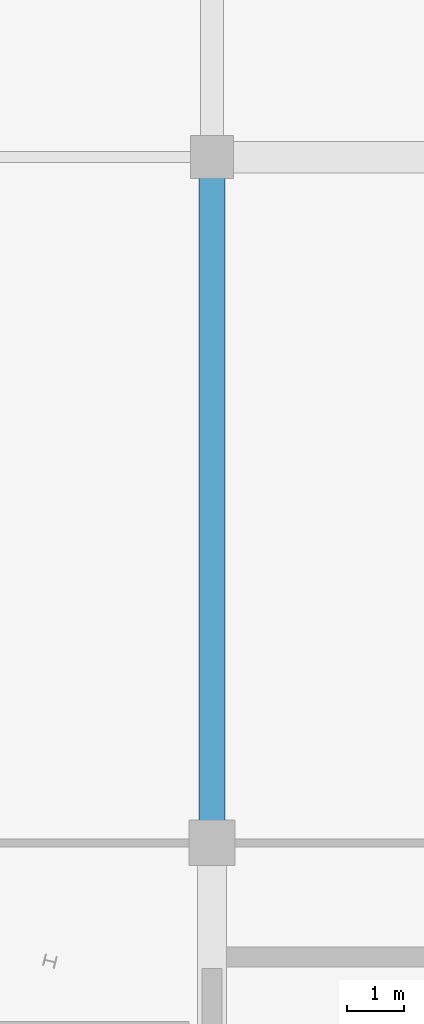
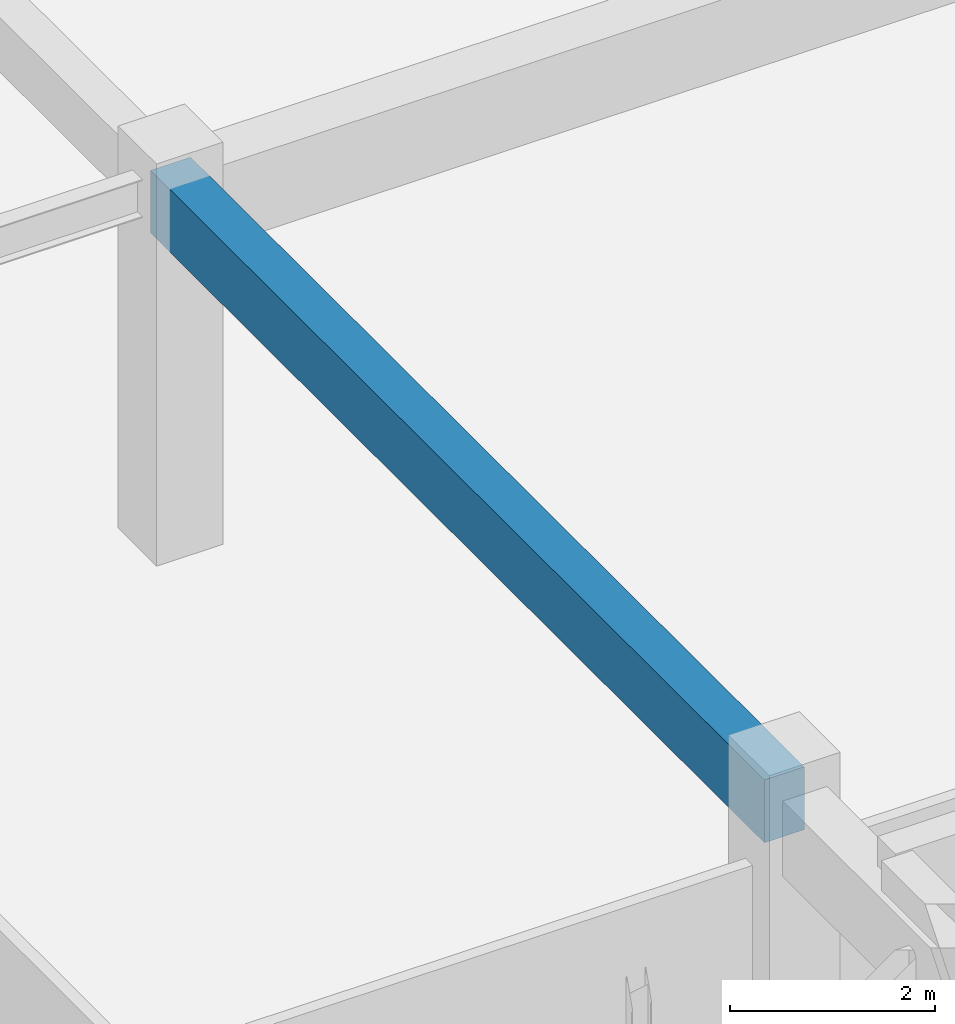
# One storey, part 79 of 226: 1 beam.
"""IFC4 building model written with IfcOpenShell, lengths in metres."""

import ifcopenshell
import ifcopenshell.guid

model = None  # the IFC model being written
_history = None  # IfcOwnerHistory: only IFC2X3 demands one
_inside = {}  # id of a spatial element -> (the spatial element, [elements in it])
_under = {}  # id of a project, library or spatial element -> (it, [spatial elements below it])
_declared = {}  # id of a project -> (the project, [libraries it declares])
_typed = {}  # id of a type object -> (the type object, [elements of that type])
_made_of = {}  # id of a material, layer set ... -> (it, [elements and type objects made of it])


def new_model(schema):
    """Start an empty IFC model of exactly this schema.

    Asked for "IFC4X3", IfcOpenShell would pick the latest addendum, in which some entities
    have other attributes; the version numbers below select the first issue.
    IFC2X3 requires an IfcOwnerHistory on every rooted entity: one is made here for all.
    """
    global model, _history
    if schema == "IFC4X3":
        model = ifcopenshell.file(schema_version=(4, 3, 0, 0))
    else:
        model = ifcopenshell.file(schema=schema)
    _inside.clear()
    _under.clear()
    _declared.clear()
    _typed.clear()
    _made_of.clear()
    _history = None
    if model.schema == "IFC2X3":
        org = make("IfcOrganization", Name="unknown")
        user = make(
            "IfcPersonAndOrganization",
            ThePerson=make("IfcPerson", FamilyName="unknown"),
            TheOrganization=org,
        )
        app = make(
            "IfcApplication",
            ApplicationDeveloper=org,
            Version="unknown",
            ApplicationFullName="unknown",
            ApplicationIdentifier="unknown",
        )
        _history = make(
            "IfcOwnerHistory",
            OwningUser=user,
            OwningApplication=app,
            ChangeAction="ADDED",
            CreationDate=0,
        )
    return model


def make(cls, **values):
    """One entity of the class cls with the attributes given. An attribute that is None is left unset."""
    return model.create_entity(
        cls, **{name: value for name, value in values.items() if value is not None}
    )


def rooted(cls, **values):
    """An entity with a GlobalId (a new one), such as an element, a storey or a relation."""
    return make(cls, GlobalId=ifcopenshell.guid.new(), OwnerHistory=_history, **values)


def si_unit(unit_type, name, prefix=None):
    """IfcSIUnit, for example si_unit("LENGTHUNIT", "METRE", prefix="MILLI")."""
    return make("IfcSIUnit", UnitType=unit_type, Prefix=prefix, Name=name)


def assignment(units):
    """IfcUnitAssignment: the units of a project."""
    return None if units is None else make("IfcUnitAssignment", Units=units)


def point(xyz):
    """IfcCartesianPoint."""
    return None if xyz is None else make("IfcCartesianPoint", Coordinates=xyz)


def direction(xyz):
    """IfcDirection."""
    return None if xyz is None else make("IfcDirection", DirectionRatios=xyz)


def frame(location, z_axis=None, x_axis=None):
    """IfcAxis2Placement3D, a coordinate frame: its origin and axes. An axis left out is left unset."""
    return make(
        "IfcAxis2Placement3D",
        Location=point(location),
        Axis=direction(z_axis),
        RefDirection=direction(x_axis),
    )


def frame_2d(location, x_axis=None):
    """IfcAxis2Placement2D, a coordinate frame in the plane: its origin and x axis."""
    return make(
        "IfcAxis2Placement2D", Location=point(location), RefDirection=direction(x_axis)
    )


def origin():
    """The frame at (0, 0, 0) with its axes left unset."""
    return frame((0.0, 0.0, 0.0))


def origin_2d():
    """The frame at (0, 0) in the plane with its x axis left unset."""
    return frame_2d((0.0, 0.0))


def place(relative_to, where):
    """IfcLocalPlacement: puts the frame where relative to a parent placement (None: the world)."""
    return make(
        "IfcLocalPlacement", PlacementRelTo=relative_to, RelativePlacement=where
    )


def context(
    kind, dimensions, precision=None, world=None, true_north=None, identifier=None
):
    """IfcGeometricRepresentationContext, for example the 3D "Model" context."""
    return make(
        "IfcGeometricRepresentationContext",
        ContextIdentifier=identifier,
        ContextType=kind,
        CoordinateSpaceDimension=dimensions,
        Precision=precision,
        WorldCoordinateSystem=world,
        TrueNorth=true_north,
    )


def subcontext(parent, identifier, kind, view, scale=None):
    """IfcGeometricRepresentationSubContext, for example "Body" below "Model"."""
    return make(
        "IfcGeometricRepresentationSubContext",
        ContextIdentifier=identifier,
        ContextType=kind,
        ParentContext=parent,
        TargetScale=scale,
        TargetView=view,
    )


def project(units=None, contexts=None):
    """IfcProject with its units and contexts."""
    return rooted(
        "IfcProject",
        Name="project",
        RepresentationContexts=contexts,
        UnitsInContext=assignment(units),
    )


def spatial(cls, under=None, at=None, **own):
    """A site, building, storey or space (cls), placed at a placement, below another one or the project."""
    s = rooted(cls, ObjectPlacement=at, **own)
    if under is not None:
        _under.setdefault(under.id(), (under, []))[1].append(s)
    return s


def profile(cls, at=None, kind="AREA", **sizes):
    """A parametric profile (cls). Its sizes go by their IFC names, for example OverallWidth=200.0."""
    return make(cls, ProfileType=kind, Position=at, **sizes)


def rectangle(**sizes):
    """IfcRectangleProfileDef."""
    return profile("IfcRectangleProfileDef", **sizes)


def extrude(swept, where, along, depth):
    """IfcExtrudedAreaSolid: the profile swept, set in the frame where, extruded along a direction by depth."""
    return make(
        "IfcExtrudedAreaSolid",
        SweptArea=swept,
        Position=where,
        ExtrudedDirection=direction(along),
        Depth=depth,
    )


def shape(context_of_items, identifier, shape_type, items):
    """IfcShapeRepresentation: the items that make up one representation, for example the "Body"."""
    return make(
        "IfcShapeRepresentation",
        ContextOfItems=context_of_items,
        RepresentationIdentifier=identifier,
        RepresentationType=shape_type,
        Items=items,
    )


def material(Name=None, Category=None):
    """IfcMaterial."""
    return make("IfcMaterial", Name=Name, Category=Category)


def material_profile(
    of_material, cross_section, Name=None, Category=None, Priority=None
):
    """IfcMaterialProfile: a cross section and its material."""
    return make(
        "IfcMaterialProfile",
        Name=Name,
        Material=of_material,
        Profile=cross_section,
        Priority=Priority,
        Category=Category,
    )


def profile_set(profiles, Name=None, composite=None):
    """IfcMaterialProfileSet."""
    return make(
        "IfcMaterialProfileSet",
        Name=Name,
        MaterialProfiles=profiles,
        CompositeProfile=composite,
    )


def made_of(thing, what):
    """Note that an element or type object is made of a material, layer set ...; save() writes the relation."""
    if what is not None:
        _made_of.setdefault(what.id(), (what, []))[1].append(thing)
    return thing


def type_object(cls, material=None, **own):
    """A type object (cls), such as IfcWallType, which elements share."""
    return made_of(rooted(cls, **own), material)


def element(
    cls,
    number,
    at=None,
    inside=None,
    cuts=None,
    type_object=None,
    material=None,
    context=None,
    identifier="Body",
    shape_type=None,
    held_by="IfcProductDefinitionShape",
    body=None,
    shapes=None,
    **own,
):
    """One element of the class cls, such as IfcWall. Its Tag is "e" and its number.

    at: its placement. inside: the storey or other place that contains it. cuts: it is an
    opening in that element (IfcRelVoidsElement). A single representation is given by context,
    identifier, shape_type and body (its items); several are given by shapes. held_by: the class
    of the entity that holds the representations. save() writes the other relations.
    """
    e = rooted(cls, Tag="e%d" % number, ObjectPlacement=at, **own)
    if body is not None:
        shapes = [shape(context, identifier, shape_type, body)]
    if shapes is not None:
        e.Representation = make(held_by, Representations=shapes)
    if inside is not None:
        _inside.setdefault(inside.id(), (inside, []))[1].append(e)
    if cuts is not None:
        rooted(
            "IfcRelVoidsElement", RelatingBuildingElement=cuts, RelatedOpeningElement=e
        )
    if type_object is not None:
        _typed.setdefault(type_object.id(), (type_object, []))[1].append(e)
    return made_of(e, material)


def aggregate(whole, parts):
    """IfcRelAggregates: a whole, such as a stair, and the parts it consists of."""
    return rooted("IfcRelAggregates", RelatingObject=whole, RelatedObjects=parts)


def save(model, path):
    """Write the relations noted so far, then the file.

    IfcRelAggregates (storeys below a building ...), IfcRelContainedInSpatialStructure (elements
    in a storey), IfcRelDefinesByType, IfcRelAssociatesMaterial and IfcRelDeclares: one each for
    every whole, place, type object, material and project.
    """
    for whole, parts in _under.values():
        aggregate(whole, parts)
    for where, things in _inside.values():
        rooted(
            "IfcRelContainedInSpatialStructure",
            RelatedElements=things,
            RelatingStructure=where,
        )
    for kind, things in _typed.values():
        rooted("IfcRelDefinesByType", RelatedObjects=things, RelatingType=kind)
    for what, things in _made_of.values():
        rooted("IfcRelAssociatesMaterial", RelatedObjects=things, RelatingMaterial=what)
    for by, libraries in _declared.values():
        rooted("IfcRelDeclares", RelatingContext=by, RelatedDefinitions=libraries)
    model.write(path)


model = new_model("IFC4")

# Units and contexts
model_context = context("Model", 3, precision=1e-05, world=origin(), true_north=direction((0.0, 1.0)))
body_context = subcontext(model_context, "Body", "Model", "MODEL_VIEW")
ifc_project = project(units=[si_unit("LENGTHUNIT", "METRE"), si_unit("AREAUNIT", "SQUARE_METRE"), si_unit("VOLUMEUNIT", "CUBIC_METRE"), si_unit("PLANEANGLEUNIT", "RADIAN"), si_unit("MASSUNIT", "GRAM", prefix="KILO")], contexts=[model_context])

# Site, building, storey
site_placement = place(None, origin())
site = spatial("IfcSite", under=ifc_project, at=site_placement, CompositionType="ELEMENT")
building_placement = place(site_placement, origin())
building = spatial("IfcBuilding", under=site, at=building_placement, Name="Tarnwether General Hospital", CompositionType="ELEMENT")
storey_placement = place(building_placement, frame((0.0, 0.0, 4.800048828125)))
storey = spatial("IfcBuildingStorey", under=building, at=storey_placement, Name="L01", CompositionType="ELEMENT", Elevation=4.800048828125)

# Beam
ifc_material = material(Name="Concrete 40 MPa", Category="concrete")
ifc_material_profile = material_profile(ifc_material, rectangle(XDim=0.449951171875, YDim=0.75, at=origin_2d()), Name="RC-BM-450x750")
ifc_profile_set = profile_set([ifc_material_profile], Name="Concrete 40 MPa")
beam_type = type_object("IfcBeamType", Name="BM-G13", PredefinedType="BEAM", material=ifc_profile_set)
beam_placement = place(storey_placement, frame((84.0, 21.60009765625, 4.070068359375), z_axis=(0.0, 1.0, 0.0), x_axis=(-1.0, 0.0, 0.0)))
element("IfcBeam", 1, at=beam_placement, inside=storey, type_object=beam_type, Name="Primary Girder BMG-L01-8400_2160-8400_3360-1147", PredefinedType="BEAM", context=body_context, shape_type="SweptSolid", body=[
    extrude(rectangle(XDim=0.449951171875, YDim=0.75, at=origin_2d()), origin(), (0.0, 0.0, 1.0), 12.0),
])

save(model, "model.ifc")
